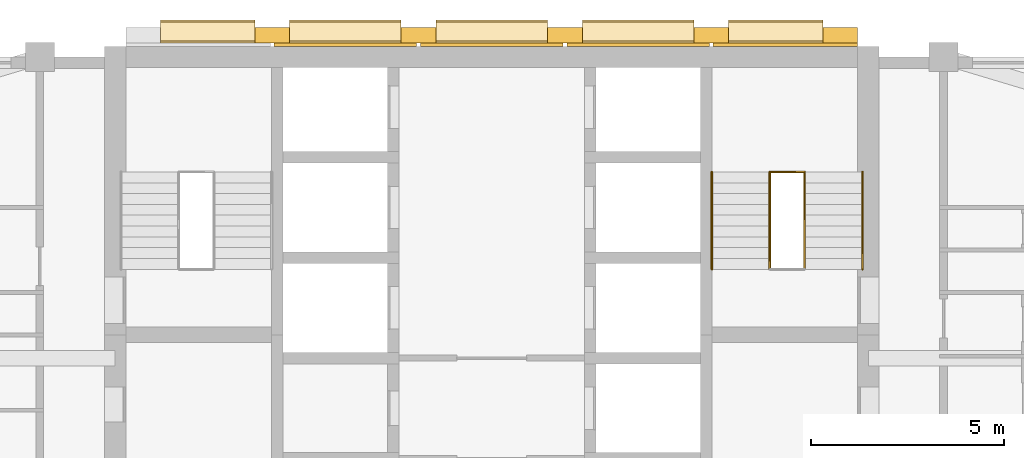
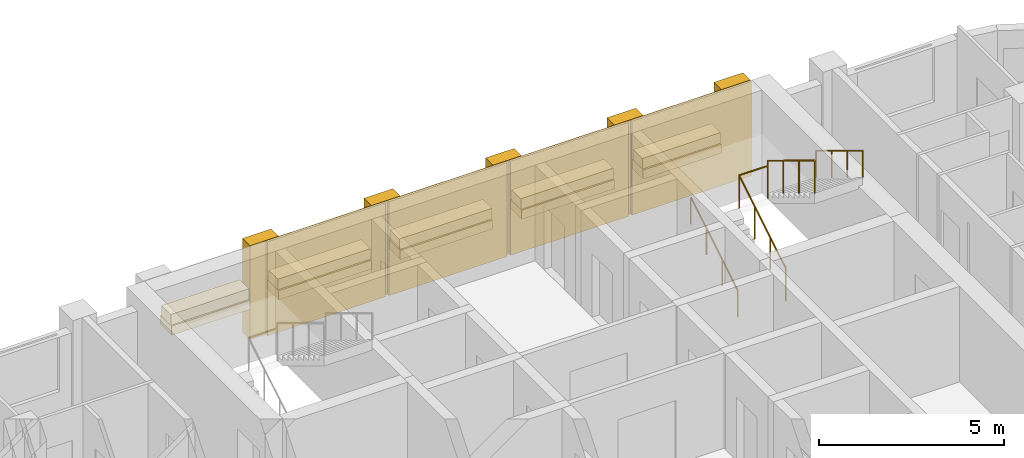
# One storey, part 13 of 14: 19 coverings, 5 railings, 1 element without a shape of its own.
"""IFC4 building model written with IfcOpenShell, lengths in metres."""

import ifcopenshell
import ifcopenshell.guid

model = None  # the IFC model being written
_history = None  # IfcOwnerHistory: only IFC2X3 demands one
_inside = {}  # id of a spatial element -> (the spatial element, [elements in it])
_under = {}  # id of a project, library or spatial element -> (it, [spatial elements below it])
_declared = {}  # id of a project -> (the project, [libraries it declares])
_typed = {}  # id of a type object -> (the type object, [elements of that type])
_made_of = {}  # id of a material, layer set ... -> (it, [elements and type objects made of it])


def new_model(schema):
    """Start an empty IFC model of exactly this schema.

    Asked for "IFC4X3", IfcOpenShell would pick the latest addendum, in which some entities
    have other attributes; the version numbers below select the first issue.
    IFC2X3 requires an IfcOwnerHistory on every rooted entity: one is made here for all.
    """
    global model, _history
    if schema == "IFC4X3":
        model = ifcopenshell.file(schema_version=(4, 3, 0, 0))
    else:
        model = ifcopenshell.file(schema=schema)
    _inside.clear()
    _under.clear()
    _declared.clear()
    _typed.clear()
    _made_of.clear()
    _history = None
    if model.schema == "IFC2X3":
        org = make("IfcOrganization", Name="unknown")
        user = make(
            "IfcPersonAndOrganization",
            ThePerson=make("IfcPerson", FamilyName="unknown"),
            TheOrganization=org,
        )
        app = make(
            "IfcApplication",
            ApplicationDeveloper=org,
            Version="unknown",
            ApplicationFullName="unknown",
            ApplicationIdentifier="unknown",
        )
        _history = make(
            "IfcOwnerHistory",
            OwningUser=user,
            OwningApplication=app,
            ChangeAction="ADDED",
            CreationDate=0,
        )
    return model


def make(cls, **values):
    """One entity of the class cls with the attributes given. An attribute that is None is left unset."""
    return model.create_entity(
        cls, **{name: value for name, value in values.items() if value is not None}
    )


def rooted(cls, **values):
    """An entity with a GlobalId (a new one), such as an element, a storey or a relation."""
    return make(cls, GlobalId=ifcopenshell.guid.new(), OwnerHistory=_history, **values)


def si_unit(unit_type, name, prefix=None):
    """IfcSIUnit, for example si_unit("LENGTHUNIT", "METRE", prefix="MILLI")."""
    return make("IfcSIUnit", UnitType=unit_type, Prefix=prefix, Name=name)


def assignment(units):
    """IfcUnitAssignment: the units of a project."""
    return None if units is None else make("IfcUnitAssignment", Units=units)


def point(xyz):
    """IfcCartesianPoint."""
    return None if xyz is None else make("IfcCartesianPoint", Coordinates=xyz)


def direction(xyz):
    """IfcDirection."""
    return None if xyz is None else make("IfcDirection", DirectionRatios=xyz)


def frame(location, z_axis=None, x_axis=None):
    """IfcAxis2Placement3D, a coordinate frame: its origin and axes. An axis left out is left unset."""
    return make(
        "IfcAxis2Placement3D",
        Location=point(location),
        Axis=direction(z_axis),
        RefDirection=direction(x_axis),
    )


def frame_2d(location, x_axis=None):
    """IfcAxis2Placement2D, a coordinate frame in the plane: its origin and x axis."""
    return make(
        "IfcAxis2Placement2D", Location=point(location), RefDirection=direction(x_axis)
    )


def origin():
    """The frame at (0, 0, 0) with its axes left unset."""
    return frame((0.0, 0.0, 0.0))


def origin_2d():
    """The frame at (0, 0) in the plane with its x axis left unset."""
    return frame_2d((0.0, 0.0))


def place(relative_to, where):
    """IfcLocalPlacement: puts the frame where relative to a parent placement (None: the world)."""
    return make(
        "IfcLocalPlacement", PlacementRelTo=relative_to, RelativePlacement=where
    )


def context(
    kind, dimensions, precision=None, world=None, true_north=None, identifier=None
):
    """IfcGeometricRepresentationContext, for example the 3D "Model" context."""
    return make(
        "IfcGeometricRepresentationContext",
        ContextIdentifier=identifier,
        ContextType=kind,
        CoordinateSpaceDimension=dimensions,
        Precision=precision,
        WorldCoordinateSystem=world,
        TrueNorth=true_north,
    )


def subcontext(parent, identifier, kind, view, scale=None):
    """IfcGeometricRepresentationSubContext, for example "Body" below "Model"."""
    return make(
        "IfcGeometricRepresentationSubContext",
        ContextIdentifier=identifier,
        ContextType=kind,
        ParentContext=parent,
        TargetScale=scale,
        TargetView=view,
    )


def project(units=None, contexts=None):
    """IfcProject with its units and contexts."""
    return rooted(
        "IfcProject",
        Name="project",
        RepresentationContexts=contexts,
        UnitsInContext=assignment(units),
    )


def spatial(cls, under=None, at=None, **own):
    """A site, building, storey or space (cls), placed at a placement, below another one or the project."""
    s = rooted(cls, ObjectPlacement=at, **own)
    if under is not None:
        _under.setdefault(under.id(), (under, []))[1].append(s)
    return s


def profile(cls, at=None, kind="AREA", **sizes):
    """A parametric profile (cls). Its sizes go by their IFC names, for example OverallWidth=200.0."""
    return make(cls, ProfileType=kind, Position=at, **sizes)


def rectangle(**sizes):
    """IfcRectangleProfileDef."""
    return profile("IfcRectangleProfileDef", **sizes)


def circle(**sizes):
    """IfcCircleProfileDef."""
    return profile("IfcCircleProfileDef", **sizes)


def extrude(swept, where, along, depth):
    """IfcExtrudedAreaSolid: the profile swept, set in the frame where, extruded along a direction by depth."""
    return make(
        "IfcExtrudedAreaSolid",
        SweptArea=swept,
        Position=where,
        ExtrudedDirection=direction(along),
        Depth=depth,
    )


def shape(context_of_items, identifier, shape_type, items):
    """IfcShapeRepresentation: the items that make up one representation, for example the "Body"."""
    return make(
        "IfcShapeRepresentation",
        ContextOfItems=context_of_items,
        RepresentationIdentifier=identifier,
        RepresentationType=shape_type,
        Items=items,
    )


def material(Name=None, Category=None):
    """IfcMaterial."""
    return make("IfcMaterial", Name=Name, Category=Category)


def layer(
    of_material, thickness, ventilated=None, Name=None, Category=None, Priority=None
):
    """IfcMaterialLayer: one layer of a wall or slab, of a material (None: an air gap)."""
    return make(
        "IfcMaterialLayer",
        Material=of_material,
        LayerThickness=thickness,
        IsVentilated=ventilated,
        Name=Name,
        Category=Category,
        Priority=Priority,
    )


def layer_set(layers, Name=None):
    """IfcMaterialLayerSet."""
    return make("IfcMaterialLayerSet", MaterialLayers=layers, LayerSetName=Name)


def made_of(thing, what):
    """Note that an element or type object is made of a material, layer set ...; save() writes the relation."""
    if what is not None:
        _made_of.setdefault(what.id(), (what, []))[1].append(thing)
    return thing


def type_object(cls, material=None, **own):
    """A type object (cls), such as IfcWallType, which elements share."""
    return made_of(rooted(cls, **own), material)


def element(
    cls,
    number,
    at=None,
    inside=None,
    cuts=None,
    type_object=None,
    material=None,
    context=None,
    identifier="Body",
    shape_type=None,
    held_by="IfcProductDefinitionShape",
    body=None,
    shapes=None,
    **own,
):
    """One element of the class cls, such as IfcWall. Its Tag is "e" and its number.

    at: its placement. inside: the storey or other place that contains it. cuts: it is an
    opening in that element (IfcRelVoidsElement). A single representation is given by context,
    identifier, shape_type and body (its items); several are given by shapes. held_by: the class
    of the entity that holds the representations. save() writes the other relations.
    """
    e = rooted(cls, Tag="e%d" % number, ObjectPlacement=at, **own)
    if body is not None:
        shapes = [shape(context, identifier, shape_type, body)]
    if shapes is not None:
        e.Representation = make(held_by, Representations=shapes)
    if inside is not None:
        _inside.setdefault(inside.id(), (inside, []))[1].append(e)
    if cuts is not None:
        rooted(
            "IfcRelVoidsElement", RelatingBuildingElement=cuts, RelatedOpeningElement=e
        )
    if type_object is not None:
        _typed.setdefault(type_object.id(), (type_object, []))[1].append(e)
    return made_of(e, material)


def aggregate(whole, parts):
    """IfcRelAggregates: a whole, such as a stair, and the parts it consists of."""
    return rooted("IfcRelAggregates", RelatingObject=whole, RelatedObjects=parts)


def save(model, path):
    """Write the relations noted so far, then the file.

    IfcRelAggregates (storeys below a building ...), IfcRelContainedInSpatialStructure (elements
    in a storey), IfcRelDefinesByType, IfcRelAssociatesMaterial and IfcRelDeclares: one each for
    every whole, place, type object, material and project.
    """
    for whole, parts in _under.values():
        aggregate(whole, parts)
    for where, things in _inside.values():
        rooted(
            "IfcRelContainedInSpatialStructure",
            RelatedElements=things,
            RelatingStructure=where,
        )
    for kind, things in _typed.values():
        rooted("IfcRelDefinesByType", RelatedObjects=things, RelatingType=kind)
    for what, things in _made_of.values():
        rooted("IfcRelAssociatesMaterial", RelatedObjects=things, RelatingMaterial=what)
    for by, libraries in _declared.values():
        rooted("IfcRelDeclares", RelatingContext=by, RelatedDefinitions=libraries)
    model.write(path)


model = new_model("IFC4")

# Units and contexts
model_context = context("Model", 3, precision=1e-05, world=origin(), true_north=direction((0.0, 1.0)))
body_context = subcontext(model_context, "Body", "Model", "MODEL_VIEW")
ifc_project = project(units=[si_unit("LENGTHUNIT", "METRE"), si_unit("AREAUNIT", "SQUARE_METRE"), si_unit("VOLUMEUNIT", "CUBIC_METRE"), si_unit("PLANEANGLEUNIT", "RADIAN"), si_unit("MASSUNIT", "GRAM", prefix="KILO")], contexts=[model_context])

# Site, building, storey
site_placement = place(None, origin())
site = spatial("IfcSite", under=ifc_project, at=site_placement, CompositionType="ELEMENT")
building_placement = place(site_placement, origin())
building = spatial("IfcBuilding", under=site, at=building_placement, Name="Ludao Terraces", CompositionType="ELEMENT")
storey_placement = place(building_placement, frame((0.0, 0.0, 182.60009765625)))
storey = spatial("IfcBuildingStorey", under=building, at=storey_placement, Name="L49", CompositionType="ELEMENT", Elevation=182.60009765625)

# Coverings
ifc_material_1 = material(Name="Granite cladding", Category="masonry")
ifc_layer_1 = layer(ifc_material_1, 0.39990234375)
ifc_layer_set_1 = layer_set([ifc_layer_1], Name="ENV Core pilaster stone 400")
covering_type_1 = type_object("IfcCoveringType", Name="ENV Core pilaster stone 400", PredefinedType="CLADDING", material=ifc_layer_set_1)
for number, where, z_axis, x_axis, name in (
    (1, (79.31494140625, 85.054931640625, -0.000244140625), (0.0, 0.0, 1.0), (1.0, 0.0, 0.0), "CC-L49-PIL2"),
    (2, (83.10498046875, 85.054931640625, -0.000244140625), (0.0, 0.0, 1.0), (1.0, 0.0, 0.0), "CC-L49-PIL3"),
    (3, (86.89501953125, 85.054931640625, -0.000244140625), (0.0, 0.0, 1.0), (1.0, 0.0, 0.0), "CC-L49-PIL4"),
    (4, (90.68505859375, 85.054931640625, -0.000244140625), (0.0, 0.0, 1.0), (1.0, 0.0, 0.0), "CC-L49-PIL5"),
    (5, (94.02490234375, 85.054931640625, -0.000244140625), (0.0, 0.0, 1.0), (1.0, 0.0, 0.0), "CC-L49-PIL6"),
):
    element("IfcCovering", number, at=place(storey_placement, frame(where, z_axis=z_axis, x_axis=x_axis)), inside=storey, type_object=covering_type_1, Name=name, PredefinedType="CLADDING", context=body_context, shape_type="SweptSolid", body=[
        extrude(rectangle(XDim=0.89990234375, YDim=0.39990234375, at=origin_2d()), origin(), (0.0, 0.0, 1.0), 3.10009765625),
    ])
ifc_layer_2 = layer(ifc_material_1, 0.60009765625)
ifc_layer_set_2 = layer_set([ifc_layer_2], Name="ENV Core planting shelf stone 600")
covering_type_2 = type_object("IfcCoveringType", Name="ENV Core planting shelf stone 600", PredefinedType="CLADDING", material=ifc_layer_set_2)
covering_1_placement = place(storey_placement, frame((77.64501953125, 85.155029296875, 1.0), z_axis=(0.0, 0.0, 1.0), x_axis=(1.0, 0.0, 0.0)))
element("IfcCovering", 6, at=covering_1_placement, inside=storey, type_object=covering_type_2, Name="CC-L49-SHELF1", PredefinedType="CLADDING", context=body_context, shape_type="SweptSolid", body=[
    extrude(rectangle(XDim=2.43994140625, YDim=0.60009765625, at=origin_2d()), origin(), (0.0, 0.0, 1.0), 0.300048828125),
])
for number, where, z_axis, x_axis, name in (
    (7, (81.2099609375, 85.155029296875, 1.0), (0.0, 0.0, 1.0), (1.0, 0.0, 0.0), "CC-L49-SHELF2"),
    (8, (85.0, 85.155029296875, 1.0), (0.0, 0.0, 1.0), (1.0, 0.0, 0.0), "CC-L49-SHELF3"),
    (9, (88.7900390625, 85.155029296875, 1.0), (0.0, 0.0, 1.0), (1.0, 0.0, 0.0), "CC-L49-SHELF4"),
):
    element("IfcCovering", number, at=place(storey_placement, frame(where, z_axis=z_axis, x_axis=x_axis)), inside=storey, type_object=covering_type_2, Name=name, PredefinedType="CLADDING", context=body_context, shape_type="SweptSolid", body=[
        extrude(rectangle(XDim=2.889892578125, YDim=0.60009765625, at=origin_2d()), origin(), (0.0, 0.0, 1.0), 0.300048828125),
    ])
covering_2_placement = place(storey_placement, frame((92.35498046875, 85.155029296875, 1.0), z_axis=(0.0, 0.0, 1.0), x_axis=(1.0, 0.0, 0.0)))
element("IfcCovering", 10, at=covering_2_placement, inside=storey, type_object=covering_type_2, Name="CC-L49-SHELF5", PredefinedType="CLADDING", context=body_context, shape_type="SweptSolid", body=[
    extrude(rectangle(XDim=2.43994140625, YDim=0.60009765625, at=origin_2d()), origin(), (0.0, 0.0, 1.0), 0.300048828125),
])
ifc_layer_3 = layer(ifc_material_1, 0.080078125)
ifc_layer_set_3 = layer_set([ifc_layer_3], Name="ENV Core stone cladding panel 80")
covering_type_3 = type_object("IfcCoveringType", Name="ENV Core stone cladding panel 80", PredefinedType="CLADDING", material=ifc_layer_set_3)
for number, where, z_axis, x_axis, name in (
    (11, (81.2099609375, 84.81494140625, -0.000244140625), (0.0, 0.0, 1.0), (1.0, 0.0, 0.0), "CC-L49-CORE2"),
    (12, (85.0, 84.81494140625, -0.000244140625), (0.0, 0.0, 1.0), (1.0, 0.0, 0.0), "CC-L49-CORE3"),
    (13, (88.7900390625, 84.81494140625, -0.000244140625), (0.0, 0.0, 1.0), (1.0, 0.0, 0.0), "CC-L49-CORE4"),
):
    element("IfcCovering", number, at=place(storey_placement, frame(where, z_axis=z_axis, x_axis=x_axis)), inside=storey, type_object=covering_type_3, Name=name, PredefinedType="CLADDING", context=body_context, shape_type="SweptSolid", body=[
        extrude(rectangle(XDim=3.68994140625, YDim=0.080078125, at=origin_2d()), origin(), (0.0, 0.0, 1.0), 3.10009765625),
    ])
covering_3_placement = place(storey_placement, frame((92.60498046875, 84.81494140625, -0.000244140625), z_axis=(0.0, 0.0, 1.0), x_axis=(1.0, 0.0, 0.0)))
element("IfcCovering", 14, at=covering_3_placement, inside=storey, type_object=covering_type_3, Name="CC-L49-CORE5", PredefinedType="CLADDING", context=body_context, shape_type="SweptSolid", body=[
    extrude(rectangle(XDim=3.739990234375, YDim=0.080078125, at=origin_2d()), origin(), (0.0, 0.0, 1.0), 3.10009765625),
])
ifc_material_2 = material(Name="Planting")
ifc_layer_4 = layer(ifc_material_2, 0.5)
ifc_layer_set_4 = layer_set([ifc_layer_4], Name="ENV Shelf planting bed 350")
covering_type_4 = type_object("IfcCoveringType", Name="ENV Shelf planting bed 350", PredefinedType="USERDEFINED", material=ifc_layer_set_4)
covering_4_placement = place(storey_placement, frame((77.64501953125, 85.155029296875, 1.2998046875), z_axis=(0.0, 0.0, 1.0), x_axis=(1.0, 0.0, 0.0)))
element("IfcCovering", 15, at=covering_4_placement, inside=storey, type_object=covering_type_4, Name="Shelf planting bed L49 1", ObjectType="PLANTING", PredefinedType="USERDEFINED", context=body_context, shape_type="SweptSolid", body=[
    extrude(rectangle(XDim=2.43994140625, YDim=0.5, at=origin_2d()), origin(), (0.0, 0.0, 1.0), 0.35009765625),
])
for number, where, z_axis, x_axis, name in (
    (16, (81.2099609375, 85.155029296875, 1.2998046875), (0.0, 0.0, 1.0), (1.0, 0.0, 0.0), "Shelf planting bed L49 2"),
    (17, (85.0, 85.155029296875, 1.2998046875), (0.0, 0.0, 1.0), (1.0, 0.0, 0.0), "Shelf planting bed L49 3"),
    (18, (88.7900390625, 85.155029296875, 1.2998046875), (0.0, 0.0, 1.0), (1.0, 0.0, 0.0), "Shelf planting bed L49 4"),
):
    element("IfcCovering", number, at=place(storey_placement, frame(where, z_axis=z_axis, x_axis=x_axis)), inside=storey, type_object=covering_type_4, Name=name, ObjectType="PLANTING", PredefinedType="USERDEFINED", context=body_context, shape_type="SweptSolid", body=[
        extrude(rectangle(XDim=2.889892578125, YDim=0.5, at=origin_2d()), origin(), (0.0, 0.0, 1.0), 0.35009765625),
    ])
covering_5_placement = place(storey_placement, frame((92.35498046875, 85.155029296875, 1.2998046875), z_axis=(0.0, 0.0, 1.0), x_axis=(1.0, 0.0, 0.0)))
element("IfcCovering", 19, at=covering_5_placement, inside=storey, type_object=covering_type_4, Name="Shelf planting bed L49 5", ObjectType="PLANTING", PredefinedType="USERDEFINED", context=body_context, shape_type="SweptSolid", body=[
    extrude(rectangle(XDim=2.43994140625, YDim=0.5, at=origin_2d()), origin(), (0.0, 0.0, 1.0), 0.35009765625),
])

# Stair, railings
ifc_material_3 = material(Name="Concrete C40", Category="concrete")
stair_type = type_object("IfcStairType", Name="INT Stair", PredefinedType="HALF_TURN_STAIR", material=ifc_material_3)
stair_placement = place(storey_placement, origin())
stair = element("IfcStair", 20, at=stair_placement, inside=storey, type_object=stair_type, Name="EXIT STAIR 2", PredefinedType="HALF_TURN_STAIR")
ifc_material_4 = material(Name="Stainless steel 304", Category="steel")
railing_type_1 = type_object("IfcRailingType", Name="INT Stair guard 1100", PredefinedType="GUARDRAIL", material=ifc_material_4)
railing_1_placement = place(storey_placement, frame((92.199951171875, 79.0, 0.169921875)))
railing_1 = element("IfcRailing", 21, at=railing_1_placement, type_object=railing_type_1, Name="ST-L49-S2-R1G", PredefinedType="GUARDRAIL", context=body_context, shape_type="SweptSolid", body=[
    extrude(circle(Radius=0.02392578125, at=origin_2d()), frame((0.0, 0.0, 1.076171875), z_axis=(0.0, 0.85478489116, 0.518982456201), x_axis=(-1.0, 0.0, 0.0)), (0.0, 0.0, 1.0), 2.9482421875),
    extrude(circle(Radius=0.02099609375, at=origin_2d()), origin(), (0.0, 0.0, 1.0), 1.052001953125),
    extrude(circle(Radius=0.02099609375, at=origin_2d()), frame((0.0, 0.840087890625, 0.510009765625)), (0.0, 0.0, 1.0), 1.052001953125),
    extrude(circle(Radius=0.02099609375, at=origin_2d()), frame((0.0, 1.679931640625, 1.02001953125)), (0.0, 0.0, 1.0), 1.052001953125),
    extrude(circle(Radius=0.02099609375, at=origin_2d()), frame((0.0, 2.52001953125, 1.530029296875)), (0.0, 0.0, 1.0), 1.052001953125),
])
railing_2_placement = place(storey_placement, frame((93.10009765625, 81.52001953125, 1.869873046875)))
railing_2 = element("IfcRailing", 22, at=railing_2_placement, type_object=railing_type_1, Name="ST-L49-S2-R2G", PredefinedType="GUARDRAIL", context=body_context, shape_type="SweptSolid", body=[
    extrude(circle(Radius=0.02392578125, at=origin_2d()), frame((0.0, 0.0, 1.076171875), z_axis=(0.0, -0.85478489116, 0.518982456201), x_axis=(1.0, 0.0, 0.0)), (0.0, 0.0, 1.0), 2.9482421875),
    extrude(circle(Radius=0.02099609375, at=origin_2d()), origin(), (0.0, 0.0, 1.0), 1.052001953125),
    extrude(circle(Radius=0.02099609375, at=origin_2d()), frame((0.0, -0.840087890625, 0.510009765625)), (0.0, 0.0, 1.0), 1.052001953125),
    extrude(circle(Radius=0.02099609375, at=origin_2d()), frame((0.0, -1.679931640625, 1.02001953125)), (0.0, 0.0, 1.0), 1.052001953125),
    extrude(circle(Radius=0.02099609375, at=origin_2d()), frame((0.0, -2.52001953125, 1.530029296875)), (0.0, 0.0, 1.0), 1.052001953125),
])
railing_3_placement = place(storey_placement, frame((92.199951171875, 81.52001953125, 1.699951171875)))
railing_3 = element("IfcRailing", 23, at=railing_3_placement, type_object=railing_type_1, Name="ST-L49-S2-E1G", PredefinedType="GUARDRAIL", context=body_context, shape_type="SweptSolid", body=[
    extrude(circle(Radius=0.02392578125, at=origin_2d()), frame((0.0, 0.0, 1.076171875), z_axis=(1.0, 0.0, 0.0), x_axis=(0.0, 1.0, 0.0)), (0.0, 0.0, 1.0), 0.900146484375),
    extrude(circle(Radius=0.02099609375, at=origin_2d()), origin(), (0.0, 0.0, 1.0), 1.052001953125),
    extrude(circle(Radius=0.02099609375, at=origin_2d()), frame((0.900146484375, 0.0, 0.0)), (0.0, 0.0, 1.0), 1.052001953125),
])
railing_type_2 = type_object("IfcRailingType", Name="INT Stair handrail 900", PredefinedType="HANDRAIL", material=ifc_material_4)
railing_4_placement = place(storey_placement, frame((90.699951171875, 79.0, 0.169921875)))
railing_4 = element("IfcRailing", 24, at=railing_4_placement, type_object=railing_type_2, Name="ST-L49-S2-R1H", PredefinedType="HANDRAIL", context=body_context, shape_type="SweptSolid", body=[
    extrude(circle(Radius=0.02392578125, at=origin_2d()), frame((0.0, 0.0, 0.8759765625), z_axis=(0.0, 0.85478489116, 0.518982456201), x_axis=(-1.0, 0.0, 0.0)), (0.0, 0.0, 1.0), 2.9482421875),
    extrude(circle(Radius=0.02099609375, at=origin_2d()), origin(), (0.0, 0.0, 1.0), 0.851806640625),
    extrude(circle(Radius=0.02099609375, at=origin_2d()), frame((0.0, 0.840087890625, 0.510009765625)), (0.0, 0.0, 1.0), 0.851806640625),
    extrude(circle(Radius=0.02099609375, at=origin_2d()), frame((0.0, 1.679931640625, 1.02001953125)), (0.0, 0.0, 1.0), 0.851806640625),
    extrude(circle(Radius=0.02099609375, at=origin_2d()), frame((0.0, 2.52001953125, 1.530029296875)), (0.0, 0.0, 1.0), 0.851806640625),
])
railing_5_placement = place(storey_placement, frame((94.60009765625, 81.52001953125, 1.869873046875)))
railing_5 = element("IfcRailing", 25, at=railing_5_placement, type_object=railing_type_2, Name="ST-L49-S2-R2H", PredefinedType="HANDRAIL", context=body_context, shape_type="SweptSolid", body=[
    extrude(circle(Radius=0.02392578125, at=origin_2d()), frame((0.0, 0.0, 0.8759765625), z_axis=(0.0, -0.85478489116, 0.518982456201), x_axis=(1.0, 0.0, 0.0)), (0.0, 0.0, 1.0), 2.9482421875),
    extrude(circle(Radius=0.02099609375, at=origin_2d()), origin(), (0.0, 0.0, 1.0), 0.851806640625),
    extrude(circle(Radius=0.02099609375, at=origin_2d()), frame((0.0, -0.840087890625, 0.510009765625)), (0.0, 0.0, 1.0), 0.851806640625),
    extrude(circle(Radius=0.02099609375, at=origin_2d()), frame((0.0, -1.679931640625, 1.02001953125)), (0.0, 0.0, 1.0), 0.851806640625),
    extrude(circle(Radius=0.02099609375, at=origin_2d()), frame((0.0, -2.52001953125, 1.530029296875)), (0.0, 0.0, 1.0), 0.851806640625),
])
aggregate(stair, [railing_1, railing_4, railing_2, railing_5, railing_3])

save(model, "model.ifc")
